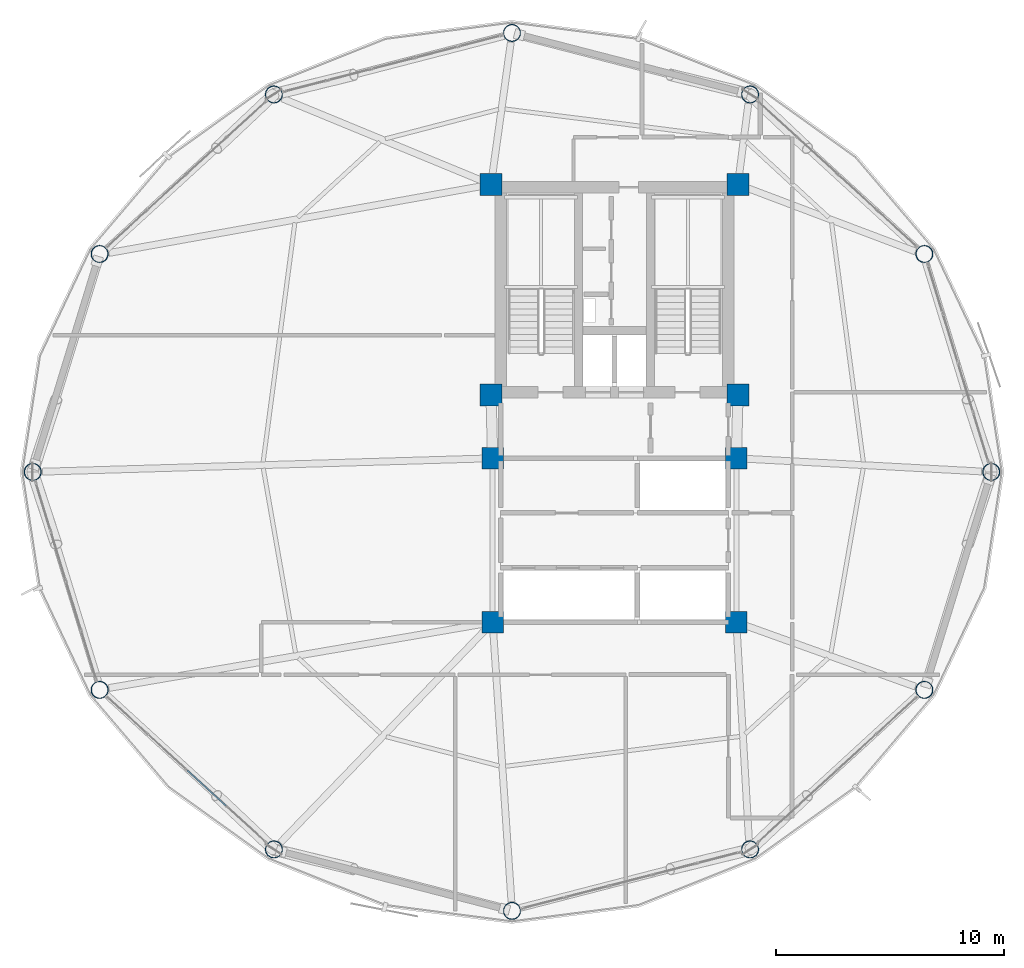
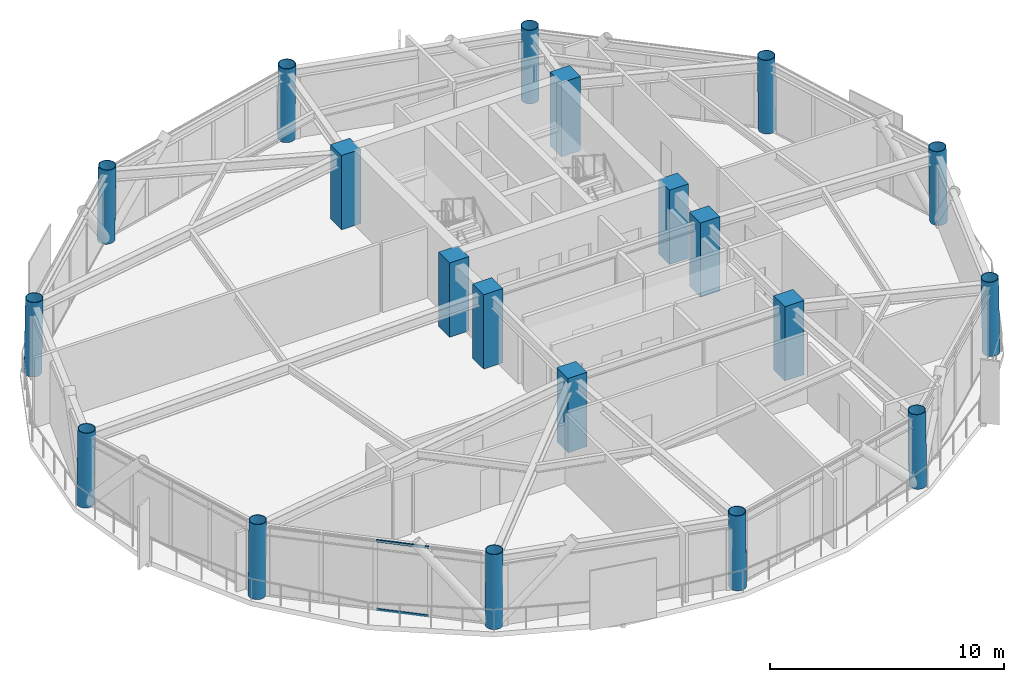
# One storey, part 1 of 27: 20 columns, 2 members, 1 element without a shape of its own.
"""IFC4 building model written with IfcOpenShell, lengths in metres."""

from ifc_helpers import new_model, si_unit, direction, frame, origin, origin_2d, place, context, subcontext, project, spatial, rectangle, hollow_rectangle, hollow_circle, extrude, material, layer, layer_set, material_profile, profile_set, type_object, element, aggregate, save


model = new_model("IFC4")

# Units and contexts
model_context = context("Model", 3, precision=1e-05, world=origin(), true_north=direction((0.0, 1.0)))
body_context = subcontext(model_context, "Body", "Model", "MODEL_VIEW")
ifc_project = project(units=[si_unit("LENGTHUNIT", "METRE"), si_unit("AREAUNIT", "SQUARE_METRE"), si_unit("VOLUMEUNIT", "CUBIC_METRE"), si_unit("PLANEANGLEUNIT", "RADIAN"), si_unit("MASSUNIT", "GRAM", prefix="KILO")], contexts=[model_context])

# Site, building, storey
site_placement = place(None, origin())
site = spatial("IfcSite", under=ifc_project, at=site_placement, CompositionType="ELEMENT")
building_placement = place(site_placement, origin())
building = spatial("IfcBuilding", under=site, at=building_placement, Name="Varnakorn Sky Granary", CompositionType="ELEMENT")
storey_placement = place(building_placement, frame((0.0, 0.0, 134.39990234375)))
storey = spatial("IfcBuildingStorey", under=building, at=storey_placement, Name="L33", CompositionType="ELEMENT", Elevation=134.39990234375)

# Columns
ifc_material_1 = material(Name="Steel S460M", Category="steel")
ifc_material_profile_1 = material_profile(ifc_material_1, hollow_circle(Radius=0.381103515625, WallThickness=0.028076171875, at=origin_2d()), Name="CHS 762x28")
ifc_profile_set_1 = profile_set([ifc_material_profile_1], Name="Steel S460M")
column_type_1 = type_object("IfcColumnType", Name="COL-DC-Z3", PredefinedType="COLUMN", material=ifc_profile_set_1)
for number, where, z_axis, x_axis, name in (
    (1, (19.550048828125, 0.0, 0.0), (-0.017323508859, 0.0, 0.999849936761), (0.0, -1.0, 0.0), "Drum Perimeter Column DC01 L33"),
    (2, (16.61279296875, 9.572021484375, 0.0), (-0.014930006761, -0.006173589294, 0.999869482329), (0.382122183009, -0.92411180993, 0.0), "Drum Perimeter Column DC02 L33"),
    (3, (8.95751953125, 16.5791015625, 0.0), (-0.008630735893, -0.010709672276, 0.999905402184), (0.77862958397, -0.627483841199, 0.0), "Drum Perimeter Column DC03 L33"),
):
    element("IfcColumn", number, at=place(storey_placement, frame(where, z_axis=z_axis, x_axis=x_axis)), inside=storey, type_object=column_type_1, Name=name, PredefinedType="COLUMN", context=body_context, shape_type="SweptSolid", body=[
        extrude(hollow_circle(Radius=0.381103515625, WallThickness=0.028076171875, at=origin_2d()), origin(), (0.0, 0.0, 1.0), 3.87548828125),
    ])
column_1_placement = place(storey_placement, frame((-1.5, 19.279052734375, 0.0), z_axis=(0.0, -0.01241083843, 0.999922982579), x_axis=(1.0, 0.0, 0.0)))
element("IfcColumn", 4, at=column_1_placement, inside=storey, type_object=column_type_1, Name="Drum Perimeter Column DC04 L33", PredefinedType="COLUMN", context=body_context, shape_type="SweptSolid", body=[
    extrude(hollow_circle(Radius=0.381103515625, WallThickness=0.028076171875, at=origin_2d()), origin(), (0.0, 0.0, 1.0), 3.875244140625),
])
for number, where, z_axis, x_axis, name in (
    (5, (-11.95751953125, 16.5791015625, 0.0), (0.008630735893, -0.010709672276, 0.999905402184), (0.77862958397, 0.627483841199, 0.0), "Drum Perimeter Column DC05 L33"),
    (6, (-19.61279296875, 9.572021484375, 0.0), (0.014930006761, -0.006173589294, 0.999869482329), (0.382122183009, 0.92411180993, 0.0), "Drum Perimeter Column DC06 L33"),
    (7, (-22.550048828125, 0.0, 0.0), (0.017323508859, 0.0, 0.999849936761), (0.0, 1.0, 0.0), "Drum Perimeter Column DC07 L33"),
    (8, (-19.61279296875, -9.572021484375, 0.0), (0.014930006761, 0.006173589294, 0.999869482329), (-0.382122183009, 0.92411180993, 0.0), "Drum Perimeter Column DC08 L33"),
    (9, (-11.95751953125, -16.5791015625, 0.0), (0.008630735893, 0.010709672276, 0.999905402184), (-0.77862958397, 0.627483841199, 0.0), "Drum Perimeter Column DC09 L33"),
):
    element("IfcColumn", number, at=place(storey_placement, frame(where, z_axis=z_axis, x_axis=x_axis)), inside=storey, type_object=column_type_1, Name=name, PredefinedType="COLUMN", context=body_context, shape_type="SweptSolid", body=[
        extrude(hollow_circle(Radius=0.381103515625, WallThickness=0.028076171875, at=origin_2d()), origin(), (0.0, 0.0, 1.0), 3.87548828125),
    ])
column_2_placement = place(storey_placement, frame((-1.5, -19.279052734375, 0.0), z_axis=(0.0, 0.01241083843, 0.999922982579), x_axis=(-1.0, 0.0, 0.0)))
element("IfcColumn", 10, at=column_2_placement, inside=storey, type_object=column_type_1, Name="Drum Perimeter Column DC10 L33", PredefinedType="COLUMN", context=body_context, shape_type="SweptSolid", body=[
    extrude(hollow_circle(Radius=0.381103515625, WallThickness=0.028076171875, at=origin_2d()), origin(), (0.0, 0.0, 1.0), 3.875244140625),
])
for number, where, z_axis, x_axis, name in (
    (11, (8.95751953125, -16.5791015625, 0.0), (-0.008630735893, 0.010709672276, 0.999905402184), (-0.77862958397, -0.627483841199, 0.0), "Drum Perimeter Column DC11 L33"),
    (12, (16.61279296875, -9.572021484375, 0.0), (-0.014930006761, 0.006173589294, 0.999869482329), (-0.382122183009, -0.92411180993, 0.0), "Drum Perimeter Column DC12 L33"),
):
    element("IfcColumn", number, at=place(storey_placement, frame(where, z_axis=z_axis, x_axis=x_axis)), inside=storey, type_object=column_type_1, Name=name, PredefinedType="COLUMN", context=body_context, shape_type="SweptSolid", body=[
        extrude(hollow_circle(Radius=0.381103515625, WallThickness=0.028076171875, at=origin_2d()), origin(), (0.0, 0.0, 1.0), 3.87548828125),
    ])
ifc_material_2 = material(Name="Concrete C50/60", Category="concrete")
ifc_material_profile_2 = material_profile(ifc_material_2, rectangle(XDim=0.949951171875, YDim=0.949951171875, at=origin_2d()), Name="RC 950x950")
ifc_profile_set_2 = profile_set([ifc_material_profile_2], Name="Concrete C50/60")
column_type_2 = type_object("IfcColumnType", Name="COL-MC-Z3", PredefinedType="COLUMN", material=ifc_profile_set_2)
for number, where, z_axis, x_axis, name in (
    (13, (-2.419921875, 12.6201171875, 0.0), (0.0, 0.0, 1.0), (1.0, 0.0, 0.0), "Backbone Mega-Column MC1 L33"),
    (14, (8.419921875, 12.6201171875, 0.0), (0.0, 0.0, 1.0), (1.0, 0.0, 0.0), "Backbone Mega-Column MC2 L33"),
    (15, (-2.419921875, 3.3798828125, 0.0), (0.0, 0.0, 1.0), (1.0, 0.0, 0.0), "Backbone Mega-Column MC3 L33"),
    (16, (8.419921875, 3.3798828125, 0.0), (0.0, 0.0, 1.0), (1.0, 0.0, 0.0), "Backbone Mega-Column MC4 L33"),
    (17, (-2.35009765625, 0.60009765625, 0.0), (0.0, 0.0, 1.0), (1.0, 0.0, 0.0), "Backbone Mega-Column MC5 L33"),
    (18, (8.35009765625, 0.60009765625, 0.0), (0.0, 0.0, 1.0), (1.0, 0.0, 0.0), "Backbone Mega-Column MC6 L33"),
    (19, (-2.35009765625, -6.60009765625, 0.0), (0.0, 0.0, 1.0), (1.0, 0.0, 0.0), "Backbone Mega-Column MC7 L33"),
    (20, (8.35009765625, -6.60009765625, 0.0), (0.0, 0.0, 1.0), (1.0, 0.0, 0.0), "Backbone Mega-Column MC8 L33"),
):
    element("IfcColumn", number, at=place(storey_placement, frame(where, z_axis=z_axis, x_axis=x_axis)), inside=storey, type_object=column_type_2, Name=name, PredefinedType="COLUMN", context=body_context, shape_type="SweptSolid", body=[
        extrude(rectangle(XDim=0.949951171875, YDim=0.949951171875, at=origin_2d()), origin(), (0.0, 0.0, 1.0), 3.875),
    ])

# Curtain wall, members
ifc_material_3 = material(Name="Anodised Bronze Aluminium Alloy 6063-T6", Category="aluminium")
ifc_layer = layer(ifc_material_3, 0.179931640625, Name="Anodised Bronze Aluminium Alloy 6063-T6")
ifc_layer_set = layer_set([ifc_layer], Name="Anodised Bronze Aluminium Alloy 6063-T6")
curtain_wall_type = type_object("IfcCurtainWallType", Name="CW-FRM-2", PredefinedType="USERDEFINED", material=ifc_layer_set)
curtain_wall_placement = place(storey_placement, origin())
curtain_wall = element("IfcCurtainWall", 21, at=curtain_wall_placement, inside=storey, type_object=curtain_wall_type, Name="Unitised Curtain Wall CW4 CW-L33-B08", ObjectType="CURTAIN WALL", PredefinedType="USERDEFINED")
ifc_material_profile_3 = material_profile(ifc_material_3, hollow_rectangle(XDim=0.06494140625, YDim=0.1201171875, WallThickness=0.00341796875, at=origin_2d()), Name="ALU TRAN 65x120")
ifc_profile_set_3 = profile_set([ifc_material_profile_3], Name="Anodised Bronze Aluminium Alloy 6063-T6")
member_type = type_object("IfcMemberType", Name="CW-FRM-2-TRAN", PredefinedType="USERDEFINED", material=ifc_profile_set_3)
member_1_placement = place(storey_placement, frame((-14.059814453125, -14.65478515625, 0.03271484375), z_axis=(-0.737624607375, 0.675211032638, 0.0), x_axis=(-0.675211032638, -0.737624607375, 0.0)))
member_1 = element("IfcMember", 22, at=member_1_placement, type_object=member_type, Name="CW4 transom 2.1", ObjectType="TRANSOM", PredefinedType="USERDEFINED", context=body_context, shape_type="SweptSolid", body=[
    extrude(hollow_rectangle(XDim=0.06494140625, YDim=0.1201171875, WallThickness=0.00341796875, at=origin_2d()), origin(), (0.0, 0.0, 1.0), 2.303955078125),
])
member_2_placement = place(storey_placement, frame((-14.059814453125, -14.65478515625, 3.607666015625), z_axis=(-0.737624607375, 0.675211032638, 0.0), x_axis=(-0.675211032638, -0.737624607375, 0.0)))
member_2 = element("IfcMember", 23, at=member_2_placement, type_object=member_type, Name="CW4 transom 2.2", ObjectType="TRANSOM", PredefinedType="USERDEFINED", context=body_context, shape_type="SweptSolid", body=[
    extrude(hollow_rectangle(XDim=0.06494140625, YDim=0.1201171875, WallThickness=0.00341796875, at=origin_2d()), origin(), (0.0, 0.0, 1.0), 2.303955078125),
])
aggregate(curtain_wall, [member_1, member_2])

save(model, "model.ifc")
